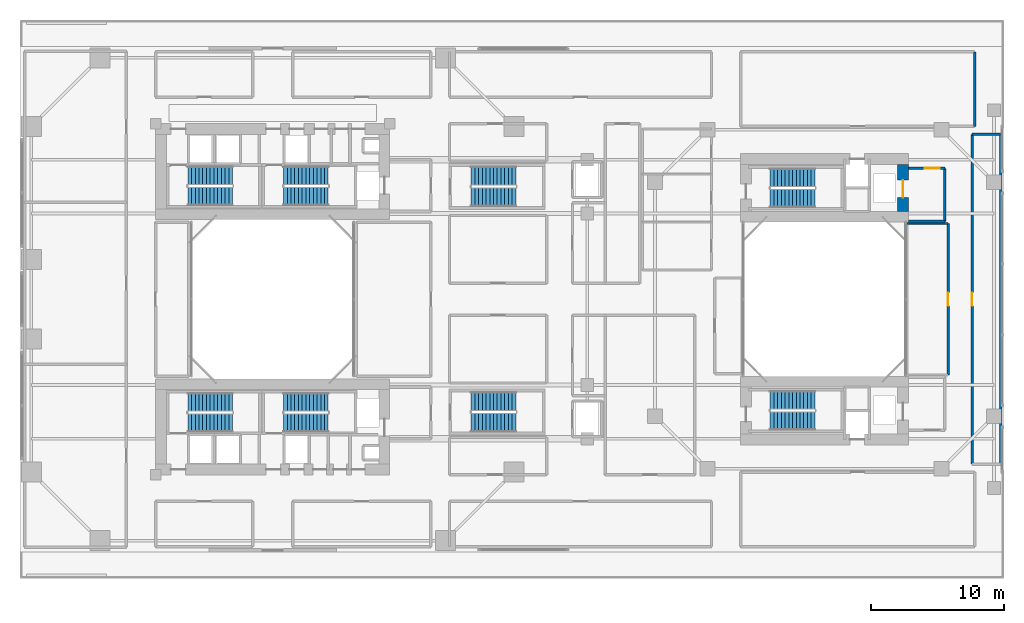
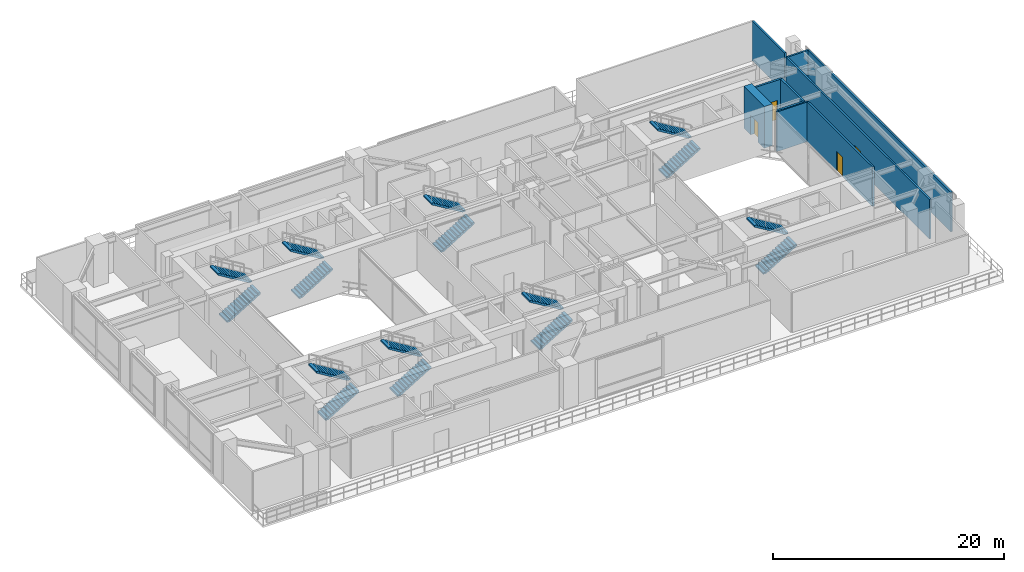
# One storey, part 15 of 19: 16 stair flights, 10 walls, 4 doors, 4 openings, 8 elements without a shape of their own.
"""IFC4 building model written with IfcOpenShell, lengths in metres."""

import ifcopenshell
import ifcopenshell.guid

model = None  # the IFC model being written
_history = None  # IfcOwnerHistory: only IFC2X3 demands one
_inside = {}  # id of a spatial element -> (the spatial element, [elements in it])
_under = {}  # id of a project, library or spatial element -> (it, [spatial elements below it])
_declared = {}  # id of a project -> (the project, [libraries it declares])
_typed = {}  # id of a type object -> (the type object, [elements of that type])
_made_of = {}  # id of a material, layer set ... -> (it, [elements and type objects made of it])


def new_model(schema):
    """Start an empty IFC model of exactly this schema.

    Asked for "IFC4X3", IfcOpenShell would pick the latest addendum, in which some entities
    have other attributes; the version numbers below select the first issue.
    IFC2X3 requires an IfcOwnerHistory on every rooted entity: one is made here for all.
    """
    global model, _history
    if schema == "IFC4X3":
        model = ifcopenshell.file(schema_version=(4, 3, 0, 0))
    else:
        model = ifcopenshell.file(schema=schema)
    _inside.clear()
    _under.clear()
    _declared.clear()
    _typed.clear()
    _made_of.clear()
    _history = None
    if model.schema == "IFC2X3":
        org = make("IfcOrganization", Name="unknown")
        user = make(
            "IfcPersonAndOrganization",
            ThePerson=make("IfcPerson", FamilyName="unknown"),
            TheOrganization=org,
        )
        app = make(
            "IfcApplication",
            ApplicationDeveloper=org,
            Version="unknown",
            ApplicationFullName="unknown",
            ApplicationIdentifier="unknown",
        )
        _history = make(
            "IfcOwnerHistory",
            OwningUser=user,
            OwningApplication=app,
            ChangeAction="ADDED",
            CreationDate=0,
        )
    return model


def make(cls, **values):
    """One entity of the class cls with the attributes given. An attribute that is None is left unset."""
    return model.create_entity(
        cls, **{name: value for name, value in values.items() if value is not None}
    )


def rooted(cls, **values):
    """An entity with a GlobalId (a new one), such as an element, a storey or a relation."""
    return make(cls, GlobalId=ifcopenshell.guid.new(), OwnerHistory=_history, **values)


def si_unit(unit_type, name, prefix=None):
    """IfcSIUnit, for example si_unit("LENGTHUNIT", "METRE", prefix="MILLI")."""
    return make("IfcSIUnit", UnitType=unit_type, Prefix=prefix, Name=name)


def assignment(units):
    """IfcUnitAssignment: the units of a project."""
    return None if units is None else make("IfcUnitAssignment", Units=units)


def point(xyz):
    """IfcCartesianPoint."""
    return None if xyz is None else make("IfcCartesianPoint", Coordinates=xyz)


def direction(xyz):
    """IfcDirection."""
    return None if xyz is None else make("IfcDirection", DirectionRatios=xyz)


def frame(location, z_axis=None, x_axis=None):
    """IfcAxis2Placement3D, a coordinate frame: its origin and axes. An axis left out is left unset."""
    return make(
        "IfcAxis2Placement3D",
        Location=point(location),
        Axis=direction(z_axis),
        RefDirection=direction(x_axis),
    )


def frame_2d(location, x_axis=None):
    """IfcAxis2Placement2D, a coordinate frame in the plane: its origin and x axis."""
    return make(
        "IfcAxis2Placement2D", Location=point(location), RefDirection=direction(x_axis)
    )


def origin():
    """The frame at (0, 0, 0) with its axes left unset."""
    return frame((0.0, 0.0, 0.0))


def place(relative_to, where):
    """IfcLocalPlacement: puts the frame where relative to a parent placement (None: the world)."""
    return make(
        "IfcLocalPlacement", PlacementRelTo=relative_to, RelativePlacement=where
    )


def context(
    kind, dimensions, precision=None, world=None, true_north=None, identifier=None
):
    """IfcGeometricRepresentationContext, for example the 3D "Model" context."""
    return make(
        "IfcGeometricRepresentationContext",
        ContextIdentifier=identifier,
        ContextType=kind,
        CoordinateSpaceDimension=dimensions,
        Precision=precision,
        WorldCoordinateSystem=world,
        TrueNorth=true_north,
    )


def subcontext(parent, identifier, kind, view, scale=None):
    """IfcGeometricRepresentationSubContext, for example "Body" below "Model"."""
    return make(
        "IfcGeometricRepresentationSubContext",
        ContextIdentifier=identifier,
        ContextType=kind,
        ParentContext=parent,
        TargetScale=scale,
        TargetView=view,
    )


def project(units=None, contexts=None):
    """IfcProject with its units and contexts."""
    return rooted(
        "IfcProject",
        Name="project",
        RepresentationContexts=contexts,
        UnitsInContext=assignment(units),
    )


def spatial(cls, under=None, at=None, **own):
    """A site, building, storey or space (cls), placed at a placement, below another one or the project."""
    s = rooted(cls, ObjectPlacement=at, **own)
    if under is not None:
        _under.setdefault(under.id(), (under, []))[1].append(s)
    return s


def polyline(points):
    """IfcPolyline through the points."""
    return make("IfcPolyline", Points=[point(p) for p in points])


def profile(cls, at=None, kind="AREA", **sizes):
    """A parametric profile (cls). Its sizes go by their IFC names, for example OverallWidth=200.0."""
    return make(cls, ProfileType=kind, Position=at, **sizes)


def rectangle(**sizes):
    """IfcRectangleProfileDef."""
    return profile("IfcRectangleProfileDef", **sizes)


def outline(outer, holes=None, kind="AREA"):
    """IfcArbitraryClosedProfileDef: a profile drawn as a closed curve; with holes, ...WithVoids."""
    if holes is None:
        return make("IfcArbitraryClosedProfileDef", ProfileType=kind, OuterCurve=outer)
    return make(
        "IfcArbitraryProfileDefWithVoids",
        ProfileType=kind,
        OuterCurve=outer,
        InnerCurves=holes,
    )


def extrude(swept, where, along, depth):
    """IfcExtrudedAreaSolid: the profile swept, set in the frame where, extruded along a direction by depth."""
    return make(
        "IfcExtrudedAreaSolid",
        SweptArea=swept,
        Position=where,
        ExtrudedDirection=direction(along),
        Depth=depth,
    )


def shape(context_of_items, identifier, shape_type, items):
    """IfcShapeRepresentation: the items that make up one representation, for example the "Body"."""
    return make(
        "IfcShapeRepresentation",
        ContextOfItems=context_of_items,
        RepresentationIdentifier=identifier,
        RepresentationType=shape_type,
        Items=items,
    )


def source(mapping_origin, context_of_items, identifier, shape_type, items):
    """IfcRepresentationMap: a shape defined once, which mapped items show again and again."""
    return make(
        "IfcRepresentationMap",
        MappingOrigin=mapping_origin,
        MappedRepresentation=shape(context_of_items, identifier, shape_type, items),
    )


def transform(
    local_origin,
    x_axis=None,
    y_axis=None,
    z_axis=None,
    scale=None,
    scale2=None,
    scale3=None,
    uniform=True,
):
    """IfcCartesianTransformationOperator3D, or its non-uniform kind. x_axis, y_axis, z_axis: its Axis1, 2, 3."""
    if uniform:
        return make(
            "IfcCartesianTransformationOperator3D",
            Axis1=direction(x_axis),
            Axis2=direction(y_axis),
            LocalOrigin=point(local_origin),
            Scale=scale,
            Axis3=direction(z_axis),
        )
    return make(
        "IfcCartesianTransformationOperator3DnonUniform",
        Axis1=direction(x_axis),
        Axis2=direction(y_axis),
        LocalOrigin=point(local_origin),
        Scale=scale,
        Axis3=direction(z_axis),
        Scale2=scale2,
        Scale3=scale3,
    )


def mapped(mapping_source, mapping_target):
    """IfcMappedItem: shows the shape of a source again, moved by a transform."""
    return make(
        "IfcMappedItem", MappingSource=mapping_source, MappingTarget=mapping_target
    )


def material(Name=None, Category=None):
    """IfcMaterial."""
    return make("IfcMaterial", Name=Name, Category=Category)


def layer(
    of_material, thickness, ventilated=None, Name=None, Category=None, Priority=None
):
    """IfcMaterialLayer: one layer of a wall or slab, of a material (None: an air gap)."""
    return make(
        "IfcMaterialLayer",
        Material=of_material,
        LayerThickness=thickness,
        IsVentilated=ventilated,
        Name=Name,
        Category=Category,
        Priority=Priority,
    )


def layer_set(layers, Name=None):
    """IfcMaterialLayerSet."""
    return make("IfcMaterialLayerSet", MaterialLayers=layers, LayerSetName=Name)


def made_of(thing, what):
    """Note that an element or type object is made of a material, layer set ...; save() writes the relation."""
    if what is not None:
        _made_of.setdefault(what.id(), (what, []))[1].append(thing)
    return thing


def type_object(cls, material=None, **own):
    """A type object (cls), such as IfcWallType, which elements share."""
    return made_of(rooted(cls, **own), material)


def element(
    cls,
    number,
    at=None,
    inside=None,
    cuts=None,
    type_object=None,
    material=None,
    context=None,
    identifier="Body",
    shape_type=None,
    held_by="IfcProductDefinitionShape",
    body=None,
    shapes=None,
    **own,
):
    """One element of the class cls, such as IfcWall. Its Tag is "e" and its number.

    at: its placement. inside: the storey or other place that contains it. cuts: it is an
    opening in that element (IfcRelVoidsElement). A single representation is given by context,
    identifier, shape_type and body (its items); several are given by shapes. held_by: the class
    of the entity that holds the representations. save() writes the other relations.
    """
    e = rooted(cls, Tag="e%d" % number, ObjectPlacement=at, **own)
    if body is not None:
        shapes = [shape(context, identifier, shape_type, body)]
    if shapes is not None:
        e.Representation = make(held_by, Representations=shapes)
    if inside is not None:
        _inside.setdefault(inside.id(), (inside, []))[1].append(e)
    if cuts is not None:
        rooted(
            "IfcRelVoidsElement", RelatingBuildingElement=cuts, RelatedOpeningElement=e
        )
    if type_object is not None:
        _typed.setdefault(type_object.id(), (type_object, []))[1].append(e)
    return made_of(e, material)


def fill(opening, filler):
    """IfcRelFillsElement: the door or window that sits in an opening."""
    return rooted(
        "IfcRelFillsElement",
        RelatingOpeningElement=opening,
        RelatedBuildingElement=filler,
    )


def aggregate(whole, parts):
    """IfcRelAggregates: a whole, such as a stair, and the parts it consists of."""
    return rooted("IfcRelAggregates", RelatingObject=whole, RelatedObjects=parts)


def save(model, path):
    """Write the relations noted so far, then the file.

    IfcRelAggregates (storeys below a building ...), IfcRelContainedInSpatialStructure (elements
    in a storey), IfcRelDefinesByType, IfcRelAssociatesMaterial and IfcRelDeclares: one each for
    every whole, place, type object, material and project.
    """
    for whole, parts in _under.values():
        aggregate(whole, parts)
    for where, things in _inside.values():
        rooted(
            "IfcRelContainedInSpatialStructure",
            RelatedElements=things,
            RelatingStructure=where,
        )
    for kind, things in _typed.values():
        rooted("IfcRelDefinesByType", RelatedObjects=things, RelatingType=kind)
    for what, things in _made_of.values():
        rooted("IfcRelAssociatesMaterial", RelatedObjects=things, RelatingMaterial=what)
    for by, libraries in _declared.values():
        rooted("IfcRelDeclares", RelatingContext=by, RelatedDefinitions=libraries)
    model.write(path)


model = new_model("IFC4")

# Units and contexts
model_context = context("Model", 3, precision=1e-05, world=origin(), true_north=direction((0.0, 1.0)))
body_context = subcontext(model_context, "Body", "Model", "MODEL_VIEW")
ifc_project = project(units=[si_unit("LENGTHUNIT", "METRE"), si_unit("AREAUNIT", "SQUARE_METRE"), si_unit("VOLUMEUNIT", "CUBIC_METRE"), si_unit("PLANEANGLEUNIT", "RADIAN"), si_unit("MASSUNIT", "GRAM", prefix="KILO"), si_unit("THERMODYNAMICTEMPERATUREUNIT", "KELVIN"), si_unit("POWERUNIT", "WATT")], contexts=[model_context])

# Site, building, storey
site_placement = place(None, origin())
site = spatial("IfcSite", under=ifc_project, at=site_placement, CompositionType="ELEMENT")
building_placement = place(site_placement, origin())
building = spatial("IfcBuilding", under=site, at=building_placement, Name="Qiaomeng Ring Towers", CompositionType="ELEMENT")
storey_placement = place(building_placement, frame((0.0, 0.0, 9.39990234375)))
storey = spatial("IfcBuildingStorey", under=building, at=storey_placement, Name="L02", CompositionType="ELEMENT", Elevation=9.39990234375)

# Walls
ifc_material_1 = material(Name="Autoclaved aerated concrete block", Category="concrete")
ifc_layer_1 = layer(ifc_material_1, 0.199951171875, Name="Autoclaved aerated concrete block")
ifc_layer_set_1 = layer_set([ifc_layer_1], Name="Autoclaved aerated concrete block")
wall_type_1 = type_object("IfcWallType", Name="ARC-WL-PW1", PredefinedType="PARTITIONING", material=ifc_layer_set_1)
wall_1_placement = place(storey_placement, frame((66.800048828125, 28.85009765625, 0.0), z_axis=(0.0, 0.0, 1.0), x_axis=(1.0, 0.0, 0.0)))
element("IfcWall", 1, at=wall_1_placement, inside=storey, type_object=wall_type_1, Name="L02 Interior Wall PW1", PredefinedType="PARTITIONING", context=body_context, shape_type="SweptSolid", body=[
    extrude(rectangle(XDim=2.75, YDim=0.199951171875, at=frame_2d((1.375, 0.0))), origin(), (0.0, 0.0, 1.0), 4.18017578125),
])
wall_2_placement = place(storey_placement, frame((69.550048828125, 28.85009765625, 0.0), z_axis=(0.0, 0.0, 1.0), x_axis=(0.0, 1.0, 0.0)))
element("IfcWall", 2, at=wall_2_placement, inside=storey, type_object=wall_type_1, Name="L02 Interior Wall PW1", PredefinedType="PARTITIONING", context=body_context, shape_type="SweptSolid", body=[
    extrude(rectangle(XDim=4.0, YDim=0.199951171875, at=frame_2d((2.0, 0.0))), origin(), (0.0, 0.0, 1.0), 4.18017578125),
])

# Wall, opening, door
wall_3_placement = place(storey_placement, frame((66.800048828125, 32.85009765625, 0.0), z_axis=(0.0, 0.0, 1.0), x_axis=(1.0, 0.0, 0.0)))
wall_3 = element("IfcWall", 3, at=wall_3_placement, inside=storey, type_object=wall_type_1, Name="L02 Interior Wall PW1", PredefinedType="PARTITIONING", context=body_context, shape_type="SweptSolid", body=[
    extrude(rectangle(XDim=2.75, YDim=0.199951171875, at=frame_2d((1.375, 0.0))), origin(), (0.0, 0.0, 1.0), 4.18017578125),
])
opening_1_placement = place(wall_3_placement, frame((1.25, 0.0, 0.0)))
opening_1 = element("IfcOpeningElement", 4, at=opening_1_placement, cuts=wall_3, Name="Opening FD3", PredefinedType="OPENING", context=body_context, shape_type="SweptSolid", body=[
    extrude(rectangle(XDim=1.10009765625, YDim=2.050048828125, at=frame_2d((0.550048828125, 1.02490234375))), frame((0.0, 0.10986328125, 0.0), z_axis=(0.0, -1.0, 0.0), x_axis=(1.0, 0.0, 0.0)), (0.0, 0.0, 1.0), 0.219970703125),
])
ifc_material_2 = material(Name="Galvanised steel", Category="steel")
door_type_1 = type_object("IfcDoorType", Name="ARC-DR-FD3", OperationType="NOTDEFINED", PredefinedType="DOOR", material=ifc_material_2)
shared_shape_1 = source(origin(), body_context, "Body", "SweptSolid", [
    extrude(rectangle(XDim=1.10009765625, YDim=2.050048828125, at=frame_2d((0.550048828125, 1.02490234375))), frame((0.0, 0.02490234375, 0.0), z_axis=(0.0, -1.0, 0.0), x_axis=(1.0, 0.0, 0.0)), (0.0, 0.0, 1.0), 0.050048828125),
])
door_1_placement = place(opening_1_placement, origin())
door_1 = element("IfcDoor", 5, at=door_1_placement, inside=storey, type_object=door_type_1, Name="L02 Door FD3", OperationType="SINGLE_SWING_RIGHT", OverallHeight=2.050048828125, OverallWidth=1.10009765625, PredefinedType="DOOR", context=body_context, shape_type="MappedRepresentation", body=[
    mapped(shared_shape_1, transform((0.0, 0.0, 0.0), x_axis=(1.0, 0.0, 0.0), y_axis=(0.0, 1.0, 0.0), z_axis=(0.0, 0.0, 1.0), scale=1.0)),
])
fill(opening_1, door_1)

# Wall
ifc_layer_2 = layer(ifc_material_1, 0.179931640625, Name="Autoclaved aerated concrete block")
ifc_layer_set_2 = layer_set([ifc_layer_2], Name="Autoclaved aerated concrete block")
wall_type_2 = type_object("IfcWallType", Name="ARC-WL-PW2", PredefinedType="PARTITIONING", material=ifc_layer_set_2)
wall_4_placement = place(storey_placement, frame((66.699951171875, 28.699951171875, 0.0), z_axis=(0.0, 0.0, 1.0), x_axis=(1.0, 0.0, 0.0)))
element("IfcWall", 6, at=wall_4_placement, inside=storey, type_object=wall_type_2, Name="L02 Interior Wall PW2", PredefinedType="PARTITIONING", context=body_context, shape_type="SweptSolid", body=[
    extrude(rectangle(XDim=3.10009765625, YDim=0.179931640625, at=frame_2d((1.550048828125, 0.0))), origin(), (0.0, 0.0, 1.0), 4.18017578125),
])

# Wall, opening, door
wall_5_placement = place(storey_placement, frame((69.800048828125, 17.300048828125, 0.0), z_axis=(0.0, 0.0, 1.0), x_axis=(0.0, 1.0, 0.0)))
wall_5 = element("IfcWall", 7, at=wall_5_placement, inside=storey, type_object=wall_type_2, Name="L02 Interior Wall PW2", PredefinedType="PARTITIONING", context=body_context, shape_type="SweptSolid", body=[
    extrude(rectangle(XDim=11.39990234375, YDim=0.179931640625, at=frame_2d((5.699951171875, 0.0))), origin(), (0.0, 0.0, 1.0), 4.18017578125),
])
opening_2_placement = place(wall_5_placement, frame((5.199951171875, 0.0, 0.0)))
opening_2 = element("IfcOpeningElement", 8, at=opening_2_placement, cuts=wall_5, Name="Opening FD4", PredefinedType="OPENING", context=body_context, shape_type="SweptSolid", body=[
    extrude(rectangle(XDim=1.0, YDim=2.050048828125, at=frame_2d((0.5, 1.02490234375))), frame((0.0, 0.099853515625, 0.0), z_axis=(0.0, -1.0, 0.0), x_axis=(1.0, 0.0, 0.0)), (0.0, 0.0, 1.0), 0.199951171875),
])
ifc_material_3 = material(Name="Engineered fire-rated oak timber", Category="wood")
door_type_2 = type_object("IfcDoorType", Name="ARC-DR-FD4", OperationType="NOTDEFINED", PredefinedType="DOOR", material=ifc_material_3)
shared_shape_2 = source(origin(), body_context, "Body", "SweptSolid", [
    extrude(rectangle(XDim=1.0, YDim=2.050048828125, at=frame_2d((0.5, 1.02490234375))), frame((0.0, 0.02490234375, 0.0), z_axis=(0.0, -1.0, 0.0), x_axis=(1.0, 0.0, 0.0)), (0.0, 0.0, 1.0), 0.050048828125),
])
door_2_placement = place(opening_2_placement, origin())
door_2 = element("IfcDoor", 9, at=door_2_placement, inside=storey, type_object=door_type_2, Name="L02 L02 Health Education Seminar Room Door", OperationType="SINGLE_SWING_LEFT", OverallHeight=2.050048828125, OverallWidth=1.0, PredefinedType="DOOR", context=body_context, shape_type="MappedRepresentation", body=[
    mapped(shared_shape_2, transform((0.0, 0.0, 0.0), x_axis=(1.0, 0.0, 0.0), y_axis=(0.0, 1.0, 0.0), z_axis=(0.0, 0.0, 1.0), scale=1.0)),
])
fill(opening_2, door_2)

# Wall
wall_6_placement = place(storey_placement, frame((71.60009765625, 35.39990234375, 0.0), z_axis=(0.0, 0.0, 1.0), x_axis=(1.0, 0.0, 0.0)))
element("IfcWall", 10, at=wall_6_placement, inside=storey, type_object=wall_type_2, Name="L02 Interior Wall PW2", PredefinedType="PARTITIONING", context=body_context, shape_type="SweptSolid", body=[
    extrude(rectangle(XDim=2.14990234375, YDim=0.179931640625, at=frame_2d((1.074951171875, 0.0))), origin(), (0.0, 0.0, 1.0), 4.18017578125),
])

# Wall, opening, door
wall_7_placement = place(storey_placement, frame((71.60009765625, 10.60009765625, 0.0), z_axis=(0.0, 0.0, 1.0), x_axis=(0.0, 1.0, 0.0)))
wall_7 = element("IfcWall", 11, at=wall_7_placement, inside=storey, type_object=wall_type_2, Name="L02 Interior Wall PW2", PredefinedType="PARTITIONING", context=body_context, shape_type="SweptSolid", body=[
    extrude(rectangle(XDim=24.7998046875, YDim=0.179931640625, at=frame_2d((12.39990234375, 0.0))), origin(), (0.0, 0.0, 1.0), 4.18017578125),
])
opening_3_placement = place(wall_7_placement, frame((11.89990234375, 0.0, 0.0)))
opening_3 = element("IfcOpeningElement", 12, at=opening_3_placement, cuts=wall_7, Name="Opening FD4", PredefinedType="OPENING", context=body_context, shape_type="SweptSolid", body=[
    extrude(rectangle(XDim=1.0, YDim=2.050048828125, at=frame_2d((0.5, 1.02490234375))), frame((0.0, 0.099853515625, 0.0), z_axis=(0.0, -1.0, 0.0), x_axis=(1.0, 0.0, 0.0)), (0.0, 0.0, 1.0), 0.199951171875),
])
door_3_placement = place(opening_3_placement, origin())
door_3 = element("IfcDoor", 13, at=door_3_placement, inside=storey, type_object=door_type_2, Name="L02 L02 Nutrition Counselling Office Door", OperationType="SINGLE_SWING_RIGHT", OverallHeight=2.050048828125, OverallWidth=1.0, PredefinedType="DOOR", context=body_context, shape_type="MappedRepresentation", body=[
    mapped(shared_shape_2, transform((0.0, 0.0, 0.0), x_axis=(1.0, 0.0, 0.0), y_axis=(0.0, 1.0, 0.0), z_axis=(0.0, 0.0, 1.0), scale=1.0)),
])
fill(opening_3, door_3)

# Walls
wall_8_placement = place(storey_placement, frame((73.75, 10.60009765625, 0.0), z_axis=(0.0, 0.0, 1.0), x_axis=(0.0, 1.0, 0.0)))
element("IfcWall", 14, at=wall_8_placement, inside=storey, type_object=wall_type_2, Name="L02 Interior Wall PW2", PredefinedType="PARTITIONING", context=body_context, shape_type="SweptSolid", body=[
    extrude(rectangle(XDim=24.7998046875, YDim=0.179931640625, at=frame_2d((12.39990234375, 0.0))), origin(), (0.0, 0.0, 1.0), 4.18017578125),
])
wall_9_placement = place(storey_placement, frame((71.800048828125, 36.0, 0.0), z_axis=(0.0, 0.0, 1.0), x_axis=(0.0, 1.0, 0.0)))
element("IfcWall", 15, at=wall_9_placement, inside=storey, type_object=wall_type_2, Name="L02 Interior Wall PW2", PredefinedType="PARTITIONING", context=body_context, shape_type="SweptSolid", body=[
    extrude(rectangle(XDim=5.60009765625, YDim=0.179931640625, at=frame_2d((2.800048828125, 0.0))), origin(), (0.0, 0.0, 1.0), 4.18017578125),
])

# Wall, opening, door
ifc_material_4 = material(Name="Concrete C60", Category="concrete")
ifc_layer_3 = layer(ifc_material_4, 0.800048828125, Name="Concrete C60")
ifc_layer_set_3 = layer_set([ifc_layer_3], Name="Concrete C60")
wall_type_3 = type_object("IfcWallType", Name="STR-WL-SW1", PredefinedType="SHEAR", material=ifc_layer_set_3)
wall_10_placement = place(storey_placement, frame((66.39990234375, 29.60009765625, 0.0), z_axis=(0.0, 0.0, 1.0), x_axis=(0.0, 1.0, 0.0)))
wall_10 = element("IfcWall", 16, at=wall_10_placement, inside=storey, type_object=wall_type_3, Name="L02 T2NC east core shear wall", PredefinedType="SHEAR", context=body_context, shape_type="SweptSolid", body=[
    extrude(rectangle(XDim=3.5498046875, YDim=0.800048828125, at=frame_2d((1.77490234375, 0.0))), origin(), (0.0, 0.0, 1.0), 4.400146484375),
])
opening_4_placement = place(wall_10_placement, frame((1.050048828125, 0.0, 0.0)))
opening_4 = element("IfcOpeningElement", 17, at=opening_4_placement, cuts=wall_10, Name="Opening LD2", PredefinedType="OPENING", context=body_context, shape_type="SweptSolid", body=[
    extrude(rectangle(XDim=1.300048828125, YDim=2.050048828125, at=frame_2d((0.64990234375, 1.02490234375))), frame((0.0, 0.409912109375, 0.0), z_axis=(0.0, -1.0, 0.0), x_axis=(1.0, 0.0, 0.0)), (0.0, 0.0, 1.0), 0.820068359375),
])
ifc_material_5 = material(Name="Stainless steel 316", Category="steel")
door_type_3 = type_object("IfcDoorType", Name="ARC-DR-LD2", OperationType="NOTDEFINED", PredefinedType="DOOR", material=ifc_material_5)
shared_shape_3 = source(origin(), body_context, "Body", "SweptSolid", [
    extrude(rectangle(XDim=1.300048828125, YDim=2.050048828125, at=frame_2d((0.64990234375, 1.02490234375))), frame((0.0, 0.02490234375, 0.0), z_axis=(0.0, -1.0, 0.0), x_axis=(1.0, 0.0, 0.0)), (0.0, 0.0, 1.0), 0.050048828125),
])
door_4_placement = place(opening_4_placement, origin())
door_4 = element("IfcDoor", 18, at=door_4_placement, inside=storey, type_object=door_type_3, Name="L02 Firefighting Lift FL3 Landing Door", OperationType="SLIDING_TO_LEFT", OverallHeight=2.050048828125, OverallWidth=1.300048828125, PredefinedType="DOOR", context=body_context, shape_type="MappedRepresentation", body=[
    mapped(shared_shape_3, transform((0.0, 0.0, 0.0), x_axis=(1.0, 0.0, 0.0), y_axis=(0.0, 1.0, 0.0), z_axis=(0.0, 0.0, 1.0), scale=1.0)),
])
fill(opening_4, door_4)

# Stair, stair flights
ifc_material_6 = material(Name="Precast concrete C40", Category="concrete")
stair_type_1 = type_object("IfcStairType", Name="ARC-ST-440", PredefinedType="HALF_TURN_STAIR", material=ifc_material_6)
stair_1_placement = place(storey_placement, origin())
stair_1 = element("IfcStair", 19, at=stair_1_placement, inside=storey, type_object=stair_type_1, Name="L02 Tower 1 North Stair 1", PredefinedType="HALF_TURN_STAIR")
stair_flight_type_1 = type_object("IfcStairFlightType", Name="ARC-ST-440-FL", PredefinedType="STRAIGHT", material=ifc_material_6)
shared_shape_4 = source(origin(), body_context, "Body", "SweptSolid", [
    extrude(outline(polyline([(0.0, 0.0), (0.0, 0.169189453125), (0.280029296875, 0.169189453125), (0.280029296875, 0.33837890625), (0.56005859375, 0.33837890625), (0.56005859375, 0.5078125), (0.840087890625, 0.5078125), (0.840087890625, 0.677001953125), (1.1201171875, 0.677001953125), (1.1201171875, 0.84619140625), (1.39990234375, 0.84619140625), (1.39990234375, 1.015380859375), (1.679931640625, 1.015380859375), (1.679931640625, 1.1845703125), (1.9599609375, 1.1845703125), (1.9599609375, 1.353759765625), (2.239990234375, 1.353759765625), (2.239990234375, 1.523193359375), (2.52001953125, 1.523193359375), (2.52001953125, 1.6923828125), (2.800048828125, 1.6923828125), (2.800048828125, 1.861572265625), (3.080078125, 1.861572265625), (3.080078125, 2.03076171875), (3.360107421875, 2.03076171875), (3.360107421875, 2.199951171875), (3.360107421875, 1.855712890625), (0.289794921875, 0.0), (0.0, 0.0)])), frame((0.0, 0.699951171875, 0.0), z_axis=(0.0, -1.0, 0.0), x_axis=(1.0, 0.0, 0.0)), (0.0, 0.0, 1.0), 1.39990234375),
])
stair_flight_1_placement = place(storey_placement, frame((12.6201171875, 30.75, 0.0), z_axis=(0.0, 0.0, 1.0), x_axis=(1.0, 0.0, 0.0)))
stair_flight_1 = element("IfcStairFlight", 20, at=stair_flight_1_placement, type_object=stair_flight_type_1, Name="ST1 flight 1", NumberOfRisers=13, NumberOfTreads=12, PredefinedType="STRAIGHT", RiserHeight=0.169230769, TreadLength=0.28, context=body_context, shape_type="MappedRepresentation", body=[
    mapped(shared_shape_4, transform((0.0, 0.0, 0.0), x_axis=(1.0, 0.0, 0.0), y_axis=(0.0, 1.0, 0.0), z_axis=(0.0, 0.0, 1.0), scale=1.0)),
])
stair_flight_2_placement = place(storey_placement, frame((15.97998046875, 32.2900390625, 2.2001953125), z_axis=(0.0, 0.0, 1.0), x_axis=(-1.0, 0.0, 0.0)))
stair_flight_2 = element("IfcStairFlight", 21, at=stair_flight_2_placement, type_object=stair_flight_type_1, Name="ST1 flight 2", NumberOfRisers=13, NumberOfTreads=12, PredefinedType="STRAIGHT", RiserHeight=0.169230769, TreadLength=0.28, context=body_context, shape_type="MappedRepresentation", body=[
    mapped(shared_shape_4, transform((0.0, 0.0, 0.0), x_axis=(1.0, 0.0, 0.0), y_axis=(0.0, 1.0, 0.0), z_axis=(0.0, 0.0, 1.0), scale=1.0)),
])
aggregate(stair_1, [stair_flight_1, stair_flight_2])

stair_2_placement = place(storey_placement, origin())
stair_2 = element("IfcStair", 22, at=stair_2_placement, inside=storey, type_object=stair_type_1, Name="L02 Tower 1 North Stair 2", PredefinedType="HALF_TURN_STAIR")
stair_flight_3_placement = place(storey_placement, frame((19.820068359375, 30.75, 0.0), z_axis=(0.0, 0.0, 1.0), x_axis=(1.0, 0.0, 0.0)))
stair_flight_3 = element("IfcStairFlight", 23, at=stair_flight_3_placement, type_object=stair_flight_type_1, Name="ST2 flight 1", NumberOfRisers=13, NumberOfTreads=12, PredefinedType="STRAIGHT", RiserHeight=0.169230769, TreadLength=0.28, context=body_context, shape_type="MappedRepresentation", body=[
    mapped(shared_shape_4, transform((0.0, 0.0, 0.0), x_axis=(1.0, 0.0, 0.0), y_axis=(0.0, 1.0, 0.0), z_axis=(0.0, 0.0, 1.0), scale=1.0)),
])
stair_flight_4_placement = place(storey_placement, frame((23.179931640625, 32.2900390625, 2.2001953125), z_axis=(0.0, 0.0, 1.0), x_axis=(-1.0, 0.0, 0.0)))
stair_flight_4 = element("IfcStairFlight", 24, at=stair_flight_4_placement, type_object=stair_flight_type_1, Name="ST2 flight 2", NumberOfRisers=13, NumberOfTreads=12, PredefinedType="STRAIGHT", RiserHeight=0.169230769, TreadLength=0.28, context=body_context, shape_type="MappedRepresentation", body=[
    mapped(shared_shape_4, transform((0.0, 0.0, 0.0), x_axis=(1.0, 0.0, 0.0), y_axis=(0.0, 1.0, 0.0), z_axis=(0.0, 0.0, 1.0), scale=1.0)),
])
aggregate(stair_2, [stair_flight_3, stair_flight_4])

stair_3_placement = place(storey_placement, origin())
stair_3 = element("IfcStair", 25, at=stair_3_placement, inside=storey, type_object=stair_type_1, Name="L02 Tower 1 South Stair 3", PredefinedType="HALF_TURN_STAIR")
stair_flight_5_placement = place(storey_placement, frame((12.6201171875, 13.7099609375, 0.0), z_axis=(0.0, 0.0, 1.0), x_axis=(1.0, 0.0, 0.0)))
stair_flight_5 = element("IfcStairFlight", 26, at=stair_flight_5_placement, type_object=stair_flight_type_1, Name="ST3 flight 1", NumberOfRisers=13, NumberOfTreads=12, PredefinedType="STRAIGHT", RiserHeight=0.169230769, TreadLength=0.28, context=body_context, shape_type="MappedRepresentation", body=[
    mapped(shared_shape_4, transform((0.0, 0.0, 0.0), x_axis=(1.0, 0.0, 0.0), y_axis=(0.0, 1.0, 0.0), z_axis=(0.0, 0.0, 1.0), scale=1.0)),
])
stair_flight_6_placement = place(storey_placement, frame((15.97998046875, 15.25, 2.2001953125), z_axis=(0.0, 0.0, 1.0), x_axis=(-1.0, 0.0, 0.0)))
stair_flight_6 = element("IfcStairFlight", 27, at=stair_flight_6_placement, type_object=stair_flight_type_1, Name="ST3 flight 2", NumberOfRisers=13, NumberOfTreads=12, PredefinedType="STRAIGHT", RiserHeight=0.169230769, TreadLength=0.28, context=body_context, shape_type="MappedRepresentation", body=[
    mapped(shared_shape_4, transform((0.0, 0.0, 0.0), x_axis=(1.0, 0.0, 0.0), y_axis=(0.0, 1.0, 0.0), z_axis=(0.0, 0.0, 1.0), scale=1.0)),
])
aggregate(stair_3, [stair_flight_5, stair_flight_6])

stair_4_placement = place(storey_placement, origin())
stair_4 = element("IfcStair", 28, at=stair_4_placement, inside=storey, type_object=stair_type_1, Name="L02 Tower 1 South Stair 4", PredefinedType="HALF_TURN_STAIR")
stair_flight_7_placement = place(storey_placement, frame((19.820068359375, 13.7099609375, 0.0), z_axis=(0.0, 0.0, 1.0), x_axis=(1.0, 0.0, 0.0)))
stair_flight_7 = element("IfcStairFlight", 29, at=stair_flight_7_placement, type_object=stair_flight_type_1, Name="ST4 flight 1", NumberOfRisers=13, NumberOfTreads=12, PredefinedType="STRAIGHT", RiserHeight=0.169230769, TreadLength=0.28, context=body_context, shape_type="MappedRepresentation", body=[
    mapped(shared_shape_4, transform((0.0, 0.0, 0.0), x_axis=(1.0, 0.0, 0.0), y_axis=(0.0, 1.0, 0.0), z_axis=(0.0, 0.0, 1.0), scale=1.0)),
])
stair_flight_8_placement = place(storey_placement, frame((23.179931640625, 15.25, 2.2001953125), z_axis=(0.0, 0.0, 1.0), x_axis=(-1.0, 0.0, 0.0)))
stair_flight_8 = element("IfcStairFlight", 30, at=stair_flight_8_placement, type_object=stair_flight_type_1, Name="ST4 flight 2", NumberOfRisers=13, NumberOfTreads=12, PredefinedType="STRAIGHT", RiserHeight=0.169230769, TreadLength=0.28, context=body_context, shape_type="MappedRepresentation", body=[
    mapped(shared_shape_4, transform((0.0, 0.0, 0.0), x_axis=(1.0, 0.0, 0.0), y_axis=(0.0, 1.0, 0.0), z_axis=(0.0, 0.0, 1.0), scale=1.0)),
])
aggregate(stair_4, [stair_flight_7, stair_flight_8])

stair_5_placement = place(storey_placement, origin())
stair_5 = element("IfcStair", 31, at=stair_5_placement, inside=storey, type_object=stair_type_1, Name="L02 Companion North Stair 5", PredefinedType="HALF_TURN_STAIR")
stair_flight_9_placement = place(storey_placement, frame((56.419921875, 30.60009765625, 0.0), z_axis=(0.0, 0.0, 1.0), x_axis=(1.0, 0.0, 0.0)))
stair_flight_9 = element("IfcStairFlight", 32, at=stair_flight_9_placement, type_object=stair_flight_type_1, Name="ST5 flight 1", NumberOfRisers=13, NumberOfTreads=12, PredefinedType="STRAIGHT", RiserHeight=0.169230769, TreadLength=0.28, context=body_context, shape_type="MappedRepresentation", body=[
    mapped(shared_shape_4, transform((0.0, 0.0, 0.0), x_axis=(1.0, 0.0, 0.0), y_axis=(0.0, 1.0, 0.0), z_axis=(0.0, 0.0, 1.0), scale=1.0)),
])
stair_flight_10_placement = place(storey_placement, frame((59.780029296875, 32.139892578125, 2.2001953125), z_axis=(0.0, 0.0, 1.0), x_axis=(-1.0, 0.0, 0.0)))
stair_flight_10 = element("IfcStairFlight", 33, at=stair_flight_10_placement, type_object=stair_flight_type_1, Name="ST5 flight 2", NumberOfRisers=13, NumberOfTreads=12, PredefinedType="STRAIGHT", RiserHeight=0.169230769, TreadLength=0.28, context=body_context, shape_type="MappedRepresentation", body=[
    mapped(shared_shape_4, transform((0.0, 0.0, 0.0), x_axis=(1.0, 0.0, 0.0), y_axis=(0.0, 1.0, 0.0), z_axis=(0.0, 0.0, 1.0), scale=1.0)),
])
aggregate(stair_5, [stair_flight_9, stair_flight_10])

stair_6_placement = place(storey_placement, origin())
stair_6 = element("IfcStair", 34, at=stair_6_placement, inside=storey, type_object=stair_type_1, Name="L02 Companion South Stair 6", PredefinedType="HALF_TURN_STAIR")
stair_flight_11_placement = place(storey_placement, frame((56.419921875, 13.860107421875, 0.0), z_axis=(0.0, 0.0, 1.0), x_axis=(1.0, 0.0, 0.0)))
stair_flight_11 = element("IfcStairFlight", 35, at=stair_flight_11_placement, type_object=stair_flight_type_1, Name="ST6 flight 1", NumberOfRisers=13, NumberOfTreads=12, PredefinedType="STRAIGHT", RiserHeight=0.169230769, TreadLength=0.28, context=body_context, shape_type="MappedRepresentation", body=[
    mapped(shared_shape_4, transform((0.0, 0.0, 0.0), x_axis=(1.0, 0.0, 0.0), y_axis=(0.0, 1.0, 0.0), z_axis=(0.0, 0.0, 1.0), scale=1.0)),
])
stair_flight_12_placement = place(storey_placement, frame((59.780029296875, 15.39990234375, 2.2001953125), z_axis=(0.0, 0.0, 1.0), x_axis=(-1.0, 0.0, 0.0)))
stair_flight_12 = element("IfcStairFlight", 36, at=stair_flight_12_placement, type_object=stair_flight_type_1, Name="ST6 flight 2", NumberOfRisers=13, NumberOfTreads=12, PredefinedType="STRAIGHT", RiserHeight=0.169230769, TreadLength=0.28, context=body_context, shape_type="MappedRepresentation", body=[
    mapped(shared_shape_4, transform((0.0, 0.0, 0.0), x_axis=(1.0, 0.0, 0.0), y_axis=(0.0, 1.0, 0.0), z_axis=(0.0, 0.0, 1.0), scale=1.0)),
])
aggregate(stair_6, [stair_flight_11, stair_flight_12])

stair_type_2 = type_object("IfcStairType", Name="ARC-ST-POD", PredefinedType="HALF_TURN_STAIR", material=ifc_material_6)
stair_7_placement = place(storey_placement, origin())
stair_7 = element("IfcStair", 37, at=stair_7_placement, inside=storey, type_object=stair_type_2, Name="L02 Podium Clinic North Stair 7", PredefinedType="HALF_TURN_STAIR")
stair_flight_type_2 = type_object("IfcStairFlightType", Name="ARC-ST-POD-FL", PredefinedType="STRAIGHT", material=ifc_material_6)
shared_shape_5 = source(origin(), body_context, "Body", "SweptSolid", [
    extrude(outline(polyline([(0.0, 0.0), (0.0, 0.169189453125), (0.280029296875, 0.169189453125), (0.280029296875, 0.33837890625), (0.56005859375, 0.33837890625), (0.56005859375, 0.5078125), (0.840087890625, 0.5078125), (0.840087890625, 0.677001953125), (1.1201171875, 0.677001953125), (1.1201171875, 0.84619140625), (1.39990234375, 0.84619140625), (1.39990234375, 1.015380859375), (1.679931640625, 1.015380859375), (1.679931640625, 1.1845703125), (1.9599609375, 1.1845703125), (1.9599609375, 1.353759765625), (2.239990234375, 1.353759765625), (2.239990234375, 1.523193359375), (2.52001953125, 1.523193359375), (2.52001953125, 1.6923828125), (2.800048828125, 1.6923828125), (2.800048828125, 1.861572265625), (3.080078125, 1.861572265625), (3.080078125, 2.03076171875), (3.360107421875, 2.03076171875), (3.360107421875, 2.199951171875), (3.360107421875, 1.855712890625), (0.289794921875, 0.0), (0.0, 0.0)])), frame((0.0, 0.72509765625, 0.0), z_axis=(0.0, -1.0, 0.0), x_axis=(1.0, 0.0, 0.0)), (0.0, 0.0, 1.0), 1.449951171875),
])
stair_flight_13_placement = place(storey_placement, frame((33.929931640625, 30.68505859375, 0.0), z_axis=(0.0, 0.0, 1.0), x_axis=(1.0, 0.0, 0.0)))
stair_flight_13 = element("IfcStairFlight", 38, at=stair_flight_13_placement, type_object=stair_flight_type_2, Name="ST7 flight 1", NumberOfRisers=13, NumberOfTreads=12, PredefinedType="STRAIGHT", RiserHeight=0.169230769, TreadLength=0.28, context=body_context, shape_type="MappedRepresentation", body=[
    mapped(shared_shape_5, transform((0.0, 0.0, 0.0), x_axis=(1.0, 0.0, 0.0), y_axis=(0.0, 1.0, 0.0), z_axis=(0.0, 0.0, 1.0), scale=1.0)),
])
stair_flight_14_placement = place(storey_placement, frame((37.2900390625, 32.27490234375, 2.2001953125), z_axis=(0.0, 0.0, 1.0), x_axis=(-1.0, 0.0, 0.0)))
stair_flight_14 = element("IfcStairFlight", 39, at=stair_flight_14_placement, type_object=stair_flight_type_2, Name="ST7 flight 2", NumberOfRisers=13, NumberOfTreads=12, PredefinedType="STRAIGHT", RiserHeight=0.169230769, TreadLength=0.28, context=body_context, shape_type="MappedRepresentation", body=[
    mapped(shared_shape_5, transform((0.0, 0.0, 0.0), x_axis=(1.0, 0.0, 0.0), y_axis=(0.0, 1.0, 0.0), z_axis=(0.0, 0.0, 1.0), scale=1.0)),
])
aggregate(stair_7, [stair_flight_13, stair_flight_14])

stair_8_placement = place(storey_placement, origin())
stair_8 = element("IfcStair", 40, at=stair_8_placement, inside=storey, type_object=stair_type_2, Name="L02 Podium Clinic South Stair 8", PredefinedType="HALF_TURN_STAIR")
stair_flight_15_placement = place(storey_placement, frame((33.929931640625, 13.72509765625, 0.0), z_axis=(0.0, 0.0, 1.0), x_axis=(1.0, 0.0, 0.0)))
stair_flight_15 = element("IfcStairFlight", 41, at=stair_flight_15_placement, type_object=stair_flight_type_2, Name="ST8 flight 1", NumberOfRisers=13, NumberOfTreads=12, PredefinedType="STRAIGHT", RiserHeight=0.169230769, TreadLength=0.28, context=body_context, shape_type="MappedRepresentation", body=[
    mapped(shared_shape_5, transform((0.0, 0.0, 0.0), x_axis=(1.0, 0.0, 0.0), y_axis=(0.0, 1.0, 0.0), z_axis=(0.0, 0.0, 1.0), scale=1.0)),
])
stair_flight_16_placement = place(storey_placement, frame((37.2900390625, 15.31494140625, 2.2001953125), z_axis=(0.0, 0.0, 1.0), x_axis=(-1.0, 0.0, 0.0)))
stair_flight_16 = element("IfcStairFlight", 42, at=stair_flight_16_placement, type_object=stair_flight_type_2, Name="ST8 flight 2", NumberOfRisers=13, NumberOfTreads=12, PredefinedType="STRAIGHT", RiserHeight=0.169230769, TreadLength=0.28, context=body_context, shape_type="MappedRepresentation", body=[
    mapped(shared_shape_5, transform((0.0, 0.0, 0.0), x_axis=(1.0, 0.0, 0.0), y_axis=(0.0, 1.0, 0.0), z_axis=(0.0, 0.0, 1.0), scale=1.0)),
])
aggregate(stair_8, [stair_flight_15, stair_flight_16])

save(model, "model.ifc")
